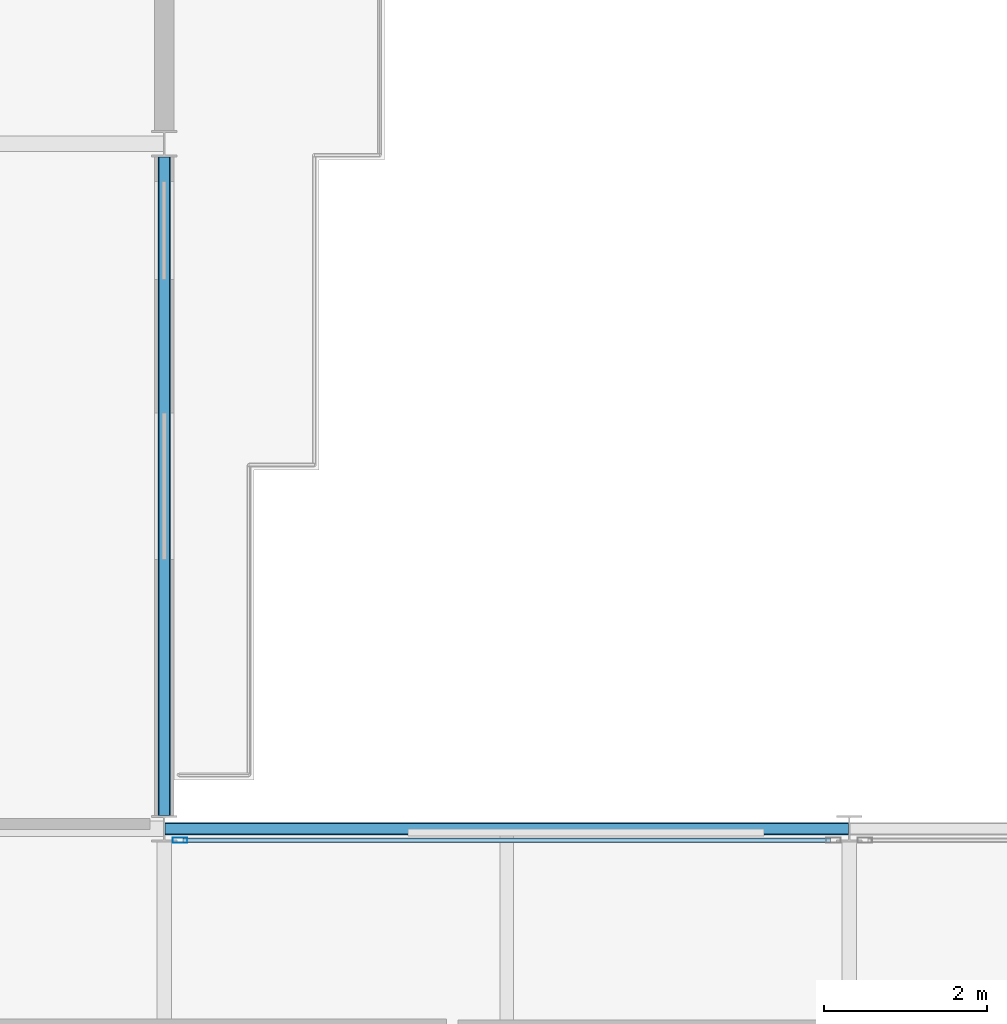
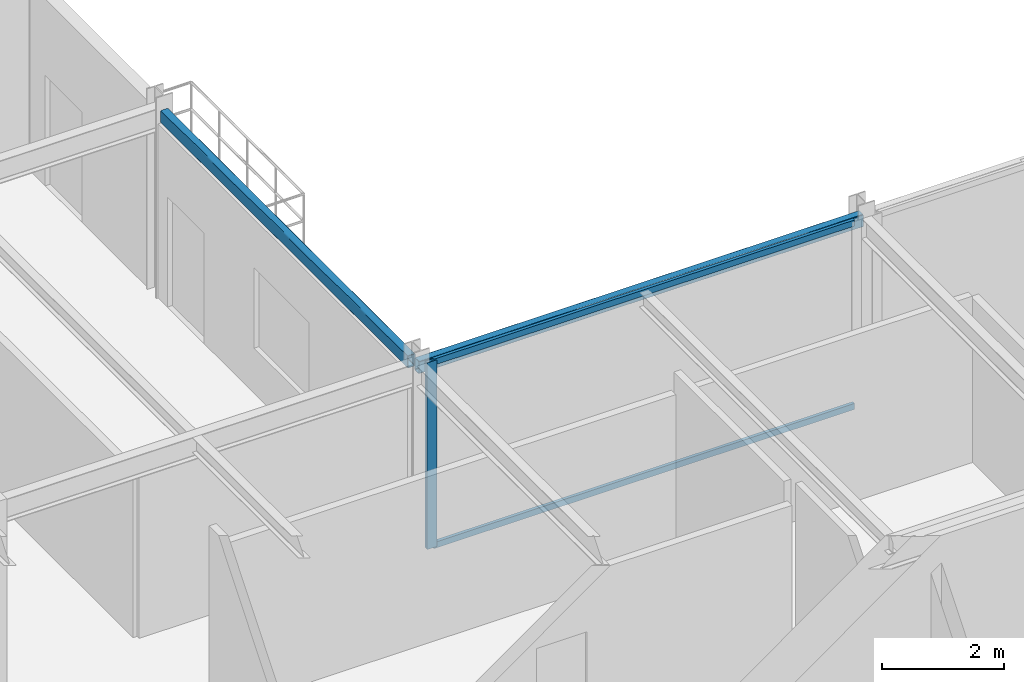
# One storey, part 13 of 26: 3 members, 2 beams, 1 element without a shape of its own.
"""IFC4 building model written with IfcOpenShell, lengths in metres."""

from ifc_helpers import new_model, si_unit, direction, frame, origin, origin_2d, place, context, subcontext, project, spatial, hollow_rectangle, extrude, material, layer, layer_set, material_profile, profile_set, type_object, element, aggregate, save


model = new_model("IFC4")

# Units and contexts
model_context = context("Model", 3, precision=1e-05, world=origin(), true_north=direction((0.0, 1.0)))
body_context = subcontext(model_context, "Body", "Model", "MODEL_VIEW")
ifc_project = project(units=[si_unit("LENGTHUNIT", "METRE"), si_unit("AREAUNIT", "SQUARE_METRE"), si_unit("VOLUMEUNIT", "CUBIC_METRE"), si_unit("PLANEANGLEUNIT", "RADIAN"), si_unit("MASSUNIT", "GRAM", prefix="KILO")], contexts=[model_context])

# Site, building, storey
site_placement = place(None, origin())
site = spatial("IfcSite", under=ifc_project, at=site_placement, CompositionType="ELEMENT")
building_placement = place(site_placement, origin())
building = spatial("IfcBuilding", under=site, at=building_placement, Name="Nerrivon Quay Data Exchange", CompositionType="ELEMENT")
storey_placement = place(building_placement, frame((0.0, 0.0, 250.199951171875)))
storey = spatial("IfcBuildingStorey", under=building, at=storey_placement, Name="L59", CompositionType="ELEMENT", Elevation=250.199951171875)

# Beams
ifc_material_1 = material(Name="Steel Grade C350L0 (350 MPa)", Category="steel")
ifc_material_profile_1 = material_profile(ifc_material_1, hollow_rectangle(XDim=0.14990234375, YDim=0.25, WallThickness=0.009033203125, InnerFilletRadius=0.013427734375, OuterFilletRadius=0.0224609375, at=origin_2d()), Name="250x150x9.0RHS")
ifc_profile_set_1 = profile_set([ifc_material_profile_1], Name="Steel Grade C350L0 (350 MPa)")
beam_type = type_object("IfcBeamType", Name="BM-SP4-250x150RHS", PredefinedType="SPANDREL", material=ifc_profile_set_1)
beam_1_placement = place(storey_placement, frame((25.2080078125, 25.199951171875, 3.60009765625), z_axis=(1.0, 0.0, 0.0), x_axis=(0.0, 1.0, 0.0)))
element("IfcBeam", 1, at=beam_1_placement, inside=storey, type_object=beam_type, Name="L59 EW Girder Y=25.2 (25.2..33.6)", PredefinedType="SPANDREL", context=body_context, shape_type="SweptSolid", body=[
    extrude(hollow_rectangle(XDim=0.14990234375, YDim=0.25, WallThickness=0.009033203125, InnerFilletRadius=0.013427734375, OuterFilletRadius=0.0224609375, at=origin_2d()), origin(), (0.0, 0.0, 1.0), 8.38427734375),
])
beam_2_placement = place(storey_placement, frame((25.199951171875, 25.363525390625, 3.60009765625), z_axis=(0.0, 1.0, 0.0), x_axis=(-1.0, 0.0, 0.0)))
element("IfcBeam", 2, at=beam_2_placement, inside=storey, type_object=beam_type, Name="L59 NS Girder X=25.2 (25.2..33.6)", PredefinedType="SPANDREL", context=body_context, shape_type="SweptSolid", body=[
    extrude(hollow_rectangle(XDim=0.14990234375, YDim=0.25, WallThickness=0.009033203125, InnerFilletRadius=0.013427734375, OuterFilletRadius=0.0224609375, at=origin_2d()), origin(), (0.0, 0.0, 1.0), 8.072998046875),
])

# Curtain wall, members
ifc_material_2 = material(Name="Anodised aluminium 6063-T6", Category="aluminium")
ifc_layer = layer(ifc_material_2, 0.195068359375)
ifc_layer_set = layer_set([ifc_layer], Name="Anodised aluminium 6063-T6")
curtain_wall_type = type_object("IfcCurtainWallType", Name="CW-SYS-06", PredefinedType="NOTDEFINED", material=ifc_layer_set)
curtain_wall_placement = place(storey_placement, origin())
curtain_wall = element("IfcCurtainWall", 3, at=curtain_wall_placement, inside=storey, type_object=curtain_wall_type, Name="L59 Unitised Curtain Wall 24", PredefinedType="NOTDEFINED")
ifc_material_profile_2 = material_profile(ifc_material_2, hollow_rectangle(XDim=0.06494140625, YDim=0.179931640625, WallThickness=0.00341796875, at=origin_2d()), Name="ALU-MULL-180x65")
ifc_profile_set_2 = profile_set([ifc_material_profile_2], Name="Anodised aluminium 6063-T6")
member_type_1 = type_object("IfcMemberType", Name="CWM-180x65", PredefinedType="MULLION", material=ifc_profile_set_2)
member_1_placement = place(storey_placement, frame((25.39306640625, 25.06005859375, 0.0), z_axis=(0.0, 0.0, 1.0), x_axis=(0.0, 1.0, 0.0)))
member_1 = element("IfcMember", 4, at=member_1_placement, type_object=member_type_1, Name="CW06 mullion 1", PredefinedType="MULLION", context=body_context, shape_type="SweptSolid", body=[
    extrude(hollow_rectangle(XDim=0.06494140625, YDim=0.179931640625, WallThickness=0.00341796875, at=origin_2d()), origin(), (0.0, 0.0, 1.0), 3.72509765625),
])
ifc_material_profile_3 = material_profile(ifc_material_2, hollow_rectangle(XDim=0.06005859375, YDim=0.1201171875, WallThickness=0.003173828125, at=origin_2d()), Name="ALU-TRAN-120x60")
ifc_profile_set_3 = profile_set([ifc_material_profile_3], Name="Anodised aluminium 6063-T6")
member_type_2 = type_object("IfcMemberType", Name="CWT-120x60", PredefinedType="USERDEFINED", material=ifc_profile_set_3)
member_2_placement = place(storey_placement, frame((25.430419921875, 25.06005859375, 0.032470703125), z_axis=(1.0, 0.0, 0.0), x_axis=(0.0, 1.0, 0.0)))
member_2 = element("IfcMember", 5, at=member_2_placement, type_object=member_type_2, Name="CW06 transom 1.1", ObjectType="TRANSOM", PredefinedType="USERDEFINED", context=body_context, shape_type="SweptSolid", body=[
    extrude(hollow_rectangle(XDim=0.06005859375, YDim=0.1201171875, WallThickness=0.003173828125, at=origin_2d()), origin(), (0.0, 0.0, 1.0), 7.93896484375),
])
member_3_placement = place(storey_placement, frame((25.430419921875, 25.06005859375, 3.692626953125), z_axis=(1.0, 0.0, 0.0), x_axis=(0.0, 1.0, 0.0)))
member_3 = element("IfcMember", 6, at=member_3_placement, type_object=member_type_2, Name="CW06 transom 1.2", ObjectType="TRANSOM", PredefinedType="USERDEFINED", context=body_context, shape_type="SweptSolid", body=[
    extrude(hollow_rectangle(XDim=0.06005859375, YDim=0.1201171875, WallThickness=0.003173828125, at=origin_2d()), origin(), (0.0, 0.0, 1.0), 7.93896484375),
])
aggregate(curtain_wall, [member_1, member_2, member_3])

save(model, "model.ifc")
